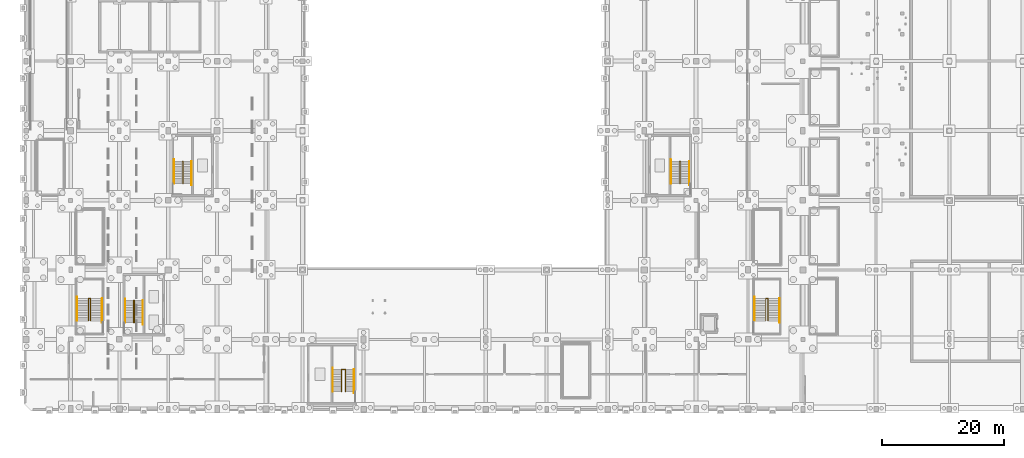
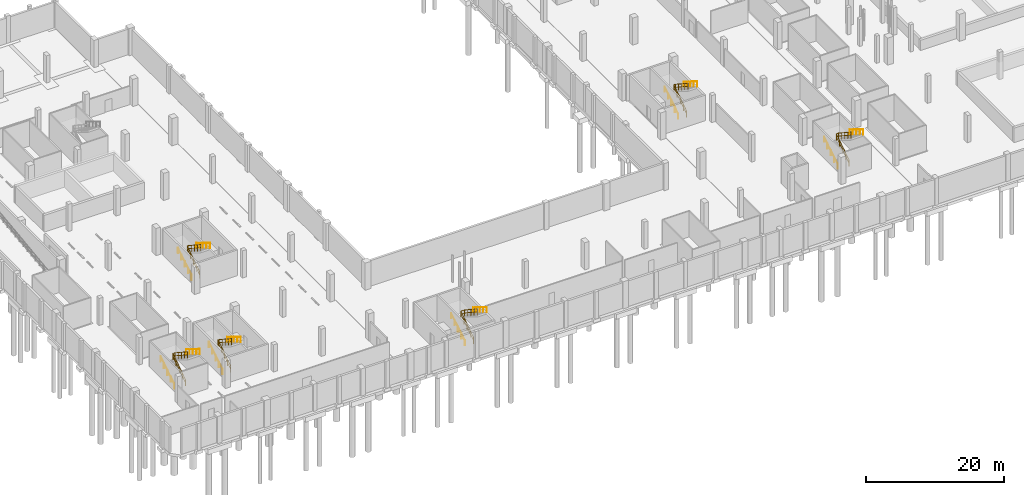
# One storey, part 32 of 34: 18 railings.
"""IFC4 building model written with IfcOpenShell, lengths in metres."""

from ifc_helpers import new_model, si_unit, direction, frame, origin, origin_2d, place, context, subcontext, project, spatial, circle, extrude, material, type_object, element, save


model = new_model("IFC4")

# Units and contexts
model_context = context("Model", 3, precision=1e-05, world=origin(), true_north=direction((0.0, 1.0)))
body_context = subcontext(model_context, "Body", "Model", "MODEL_VIEW")
ifc_project = project(units=[si_unit("LENGTHUNIT", "METRE"), si_unit("AREAUNIT", "SQUARE_METRE"), si_unit("VOLUMEUNIT", "CUBIC_METRE"), si_unit("PLANEANGLEUNIT", "RADIAN"), si_unit("MASSUNIT", "GRAM", prefix="KILO"), si_unit("POWERUNIT", "WATT"), si_unit("THERMODYNAMICTEMPERATUREUNIT", "KELVIN")], contexts=[model_context])

# Site, building, storey
site_placement = place(None, origin())
site = spatial("IfcSite", under=ifc_project, at=site_placement, CompositionType="ELEMENT")
building_placement = place(site_placement, origin())
building = spatial("IfcBuilding", under=site, at=building_placement, Name="Kelmbourne Parkland Aquatics Centre", CompositionType="ELEMENT")
storey_placement = place(building_placement, frame((0.0, 0.0, -4.800048828125)))
storey = spatial("IfcBuildingStorey", under=building, at=storey_placement, Name="B1", CompositionType="ELEMENT", Elevation=-4.800048828125)

# Railings
ifc_material = material(Name="Grade 316 marine stainless steel", Category="steel")
railing_type_1 = type_object("IfcRailingType", Name="RL-GD-112", PredefinedType="GUARDRAIL", material=ifc_material)
railing_1_placement = place(storey_placement, frame((18.307373046875, 14.949951171875, 0.0)))
element("IfcRailing", 1, at=railing_1_placement, inside=storey, type_object=railing_type_1, Name="West Wing South Fire-Fighting Core Stair ST01 well guardrail", PredefinedType="GUARDRAIL", context=body_context, shape_type="SweptSolid", body=[
    extrude(circle(Radius=0.02392578125, at=origin_2d()), frame((0.0, 0.0, 1.09619140625), z_axis=(0.0, 0.834856447115, 0.55046772177), x_axis=(-1.0, 0.0, 0.0)), (0.0, 0.0, 1.0), 4.360107421875),
    extrude(circle(Radius=0.02392578125, at=origin_2d()), frame((0.0, 0.0, 0.56005859375), z_axis=(0.0, 0.834856447115, 0.55046772177), x_axis=(-1.0, 0.0, 0.0)), (0.0, 0.0, 1.0), 4.360107421875),
    extrude(circle(Radius=0.02392578125, at=origin_2d()), frame((0.0, 3.64013671875, 3.49609375), z_axis=(1.0, 0.0, 0.0), x_axis=(0.0, 1.0, 0.0)), (0.0, 0.0, 1.0), 0.16015625),
    extrude(circle(Radius=0.02392578125, at=origin_2d()), frame((0.0, 3.64013671875, 2.960205078125), z_axis=(1.0, 0.0, 0.0), x_axis=(0.0, 1.0, 0.0)), (0.0, 0.0, 1.0), 0.16015625),
    extrude(circle(Radius=0.02392578125, at=origin_2d()), frame((0.16015625, 3.64013671875, 3.49609375), z_axis=(0.0, -0.83488217925, 0.55042869363), x_axis=(1.0, 0.0, 0.0)), (0.0, 0.0, 1.0), 4.360107421875),
    extrude(circle(Radius=0.02392578125, at=origin_2d()), frame((0.16015625, 3.64013671875, 2.960205078125), z_axis=(0.0, -0.83488217925, 0.55042869363), x_axis=(1.0, 0.0, 0.0)), (0.0, 0.0, 1.0), 4.360107421875),
    extrude(circle(Radius=0.02099609375, at=origin_2d()), origin(), (0.0, 0.0, 1.0), 1.072021484375),
    extrude(circle(Radius=0.02099609375, at=origin_2d()), frame((0.0, 0.91015625, 0.60009765625)), (0.0, 0.0, 1.0), 1.072021484375),
    extrude(circle(Radius=0.02099609375, at=origin_2d()), frame((0.0, 1.820068359375, 1.2001953125)), (0.0, 0.0, 1.0), 1.072021484375),
    extrude(circle(Radius=0.02099609375, at=origin_2d()), frame((0.0, 2.72998046875, 1.800048828125)), (0.0, 0.0, 1.0), 1.072021484375),
    extrude(circle(Radius=0.02099609375, at=origin_2d()), frame((0.0, 3.64013671875, 2.400146484375)), (0.0, 0.0, 1.0), 1.072021484375),
    extrude(circle(Radius=0.02099609375, at=origin_2d()), frame((0.16015625, 3.64013671875, 2.400146484375)), (0.0, 0.0, 1.0), 1.072021484375),
    extrude(circle(Radius=0.02099609375, at=origin_2d()), frame((0.16015625, 2.72998046875, 3.0)), (0.0, 0.0, 1.0), 1.072021484375),
    extrude(circle(Radius=0.02099609375, at=origin_2d()), frame((0.16015625, 1.820068359375, 3.60009765625)), (0.0, 0.0, 1.0), 1.072021484375),
    extrude(circle(Radius=0.02099609375, at=origin_2d()), frame((0.16015625, 0.91015625, 4.2001953125)), (0.0, 0.0, 1.0), 1.072021484375),
    extrude(circle(Radius=0.02099609375, at=origin_2d()), frame((0.16015625, 0.0, 4.800048828125)), (0.0, 0.0, 1.0), 1.072021484375),
])
railing_2_placement = place(storey_placement, frame((26.307373046875, 37.75, 0.0)))
element("IfcRailing", 2, at=railing_2_placement, inside=storey, type_object=railing_type_1, Name="West Wing North Passenger Core Stair ST02 well guardrail", PredefinedType="GUARDRAIL", context=body_context, shape_type="SweptSolid", body=[
    extrude(circle(Radius=0.02392578125, at=origin_2d()), frame((0.0, 0.0, 1.09619140625), z_axis=(0.0, 0.834839479206, 0.550493454965), x_axis=(-1.0, 0.0, 0.0)), (0.0, 0.0, 1.0), 4.360107421875),
    extrude(circle(Radius=0.02392578125, at=origin_2d()), frame((0.0, 0.0, 0.56005859375), z_axis=(0.0, 0.834839479206, 0.550493454965), x_axis=(-1.0, 0.0, 0.0)), (0.0, 0.0, 1.0), 4.360107421875),
    extrude(circle(Radius=0.02392578125, at=origin_2d()), frame((0.0, 3.639892578125, 3.49609375), z_axis=(1.0, 0.0, 0.0), x_axis=(0.0, 1.0, 0.0)), (0.0, 0.0, 1.0), 0.16015625),
    extrude(circle(Radius=0.02392578125, at=origin_2d()), frame((0.0, 3.639892578125, 2.960205078125), z_axis=(1.0, 0.0, 0.0), x_axis=(0.0, 1.0, 0.0)), (0.0, 0.0, 1.0), 0.16015625),
    extrude(circle(Radius=0.02392578125, at=origin_2d()), frame((0.16015625, 3.639892578125, 3.49609375), z_axis=(0.0, -0.834865213223, 0.550454426587), x_axis=(1.0, 0.0, 0.0)), (0.0, 0.0, 1.0), 4.35986328125),
    extrude(circle(Radius=0.02392578125, at=origin_2d()), frame((0.16015625, 3.639892578125, 2.960205078125), z_axis=(0.0, -0.834865213223, 0.550454426587), x_axis=(1.0, 0.0, 0.0)), (0.0, 0.0, 1.0), 4.35986328125),
    extrude(circle(Radius=0.02099609375, at=origin_2d()), origin(), (0.0, 0.0, 1.0), 1.072021484375),
    extrude(circle(Radius=0.02099609375, at=origin_2d()), frame((0.0, 0.909912109375, 0.60009765625)), (0.0, 0.0, 1.0), 1.072021484375),
    extrude(circle(Radius=0.02099609375, at=origin_2d()), frame((0.0, 1.81982421875, 1.2001953125)), (0.0, 0.0, 1.0), 1.072021484375),
    extrude(circle(Radius=0.02099609375, at=origin_2d()), frame((0.0, 2.72998046875, 1.800048828125)), (0.0, 0.0, 1.0), 1.072021484375),
    extrude(circle(Radius=0.02099609375, at=origin_2d()), frame((0.0, 3.639892578125, 2.400146484375)), (0.0, 0.0, 1.0), 1.072021484375),
    extrude(circle(Radius=0.02099609375, at=origin_2d()), frame((0.16015625, 3.639892578125, 2.400146484375)), (0.0, 0.0, 1.0), 1.072021484375),
    extrude(circle(Radius=0.02099609375, at=origin_2d()), frame((0.16015625, 2.72998046875, 3.0)), (0.0, 0.0, 1.0), 1.072021484375),
    extrude(circle(Radius=0.02099609375, at=origin_2d()), frame((0.16015625, 1.81982421875, 3.60009765625)), (0.0, 0.0, 1.0), 1.072021484375),
    extrude(circle(Radius=0.02099609375, at=origin_2d()), frame((0.16015625, 0.909912109375, 4.2001953125)), (0.0, 0.0, 1.0), 1.072021484375),
    extrude(circle(Radius=0.02099609375, at=origin_2d()), frame((0.16015625, 0.0, 4.800048828125)), (0.0, 0.0, 1.0), 1.072021484375),
])
railing_3_placement = place(storey_placement, frame((52.39501953125, 3.64990234375, 0.0)))
element("IfcRailing", 3, at=railing_3_placement, inside=storey, type_object=railing_type_1, Name="South Entrance Foyer Gallery Core Stair ST03 well guardrail", PredefinedType="GUARDRAIL", context=body_context, shape_type="SweptSolid", body=[
    extrude(circle(Radius=0.02392578125, at=origin_2d()), frame((0.0, 0.0, 1.09619140625), z_axis=(0.0, 0.834856447115, 0.55046772177), x_axis=(-1.0, 0.0, 0.0)), (0.0, 0.0, 1.0), 4.360107421875),
    extrude(circle(Radius=0.02392578125, at=origin_2d()), frame((0.0, 0.0, 0.56005859375), z_axis=(0.0, 0.834856447115, 0.55046772177), x_axis=(-1.0, 0.0, 0.0)), (0.0, 0.0, 1.0), 4.360107421875),
    extrude(circle(Radius=0.02392578125, at=origin_2d()), frame((0.0, 3.64013671875, 3.49609375), z_axis=(1.0, 0.0, 0.0), x_axis=(0.0, 1.0, 0.0)), (0.0, 0.0, 1.0), 0.635009765625),
    extrude(circle(Radius=0.02392578125, at=origin_2d()), frame((0.0, 3.64013671875, 2.960205078125), z_axis=(1.0, 0.0, 0.0), x_axis=(0.0, 1.0, 0.0)), (0.0, 0.0, 1.0), 0.635009765625),
    extrude(circle(Radius=0.02392578125, at=origin_2d()), frame((0.635009765625, 3.64013671875, 3.49609375), z_axis=(0.0, -0.83488217925, 0.55042869363), x_axis=(1.0, 0.0, 0.0)), (0.0, 0.0, 1.0), 4.360107421875),
    extrude(circle(Radius=0.02392578125, at=origin_2d()), frame((0.635009765625, 3.64013671875, 2.960205078125), z_axis=(0.0, -0.83488217925, 0.55042869363), x_axis=(1.0, 0.0, 0.0)), (0.0, 0.0, 1.0), 4.360107421875),
    extrude(circle(Radius=0.02099609375, at=origin_2d()), origin(), (0.0, 0.0, 1.0), 1.072021484375),
    extrude(circle(Radius=0.02099609375, at=origin_2d()), frame((0.0, 0.91015625, 0.60009765625)), (0.0, 0.0, 1.0), 1.072021484375),
    extrude(circle(Radius=0.02099609375, at=origin_2d()), frame((0.0, 1.820068359375, 1.2001953125)), (0.0, 0.0, 1.0), 1.072021484375),
    extrude(circle(Radius=0.02099609375, at=origin_2d()), frame((0.0, 2.72998046875, 1.800048828125)), (0.0, 0.0, 1.0), 1.072021484375),
    extrude(circle(Radius=0.02099609375, at=origin_2d()), frame((0.0, 3.64013671875, 2.400146484375)), (0.0, 0.0, 1.0), 1.072021484375),
    extrude(circle(Radius=0.02099609375, at=origin_2d()), frame((0.635009765625, 3.64013671875, 2.400146484375)), (0.0, 0.0, 1.0), 1.072021484375),
    extrude(circle(Radius=0.02099609375, at=origin_2d()), frame((0.635009765625, 2.72998046875, 3.0)), (0.0, 0.0, 1.0), 1.072021484375),
    extrude(circle(Radius=0.02099609375, at=origin_2d()), frame((0.635009765625, 1.820068359375, 3.60009765625)), (0.0, 0.0, 1.0), 1.072021484375),
    extrude(circle(Radius=0.02099609375, at=origin_2d()), frame((0.635009765625, 0.91015625, 4.2001953125)), (0.0, 0.0, 1.0), 1.072021484375),
    extrude(circle(Radius=0.02099609375, at=origin_2d()), frame((0.635009765625, 0.0, 4.800048828125)), (0.0, 0.0, 1.0), 1.072021484375),
])
railing_4_placement = place(storey_placement, frame((107.7451171875, 37.75, 0.0)))
element("IfcRailing", 4, at=railing_4_placement, inside=storey, type_object=railing_type_1, Name="East Spine Club and Village Core Stair ST04 well guardrail", PredefinedType="GUARDRAIL", context=body_context, shape_type="SweptSolid", body=[
    extrude(circle(Radius=0.02392578125, at=origin_2d()), frame((0.0, 0.0, 1.09619140625), z_axis=(0.0, 0.834839479206, 0.550493454965), x_axis=(-1.0, 0.0, 0.0)), (0.0, 0.0, 1.0), 4.360107421875),
    extrude(circle(Radius=0.02392578125, at=origin_2d()), frame((0.0, 0.0, 0.56005859375), z_axis=(0.0, 0.834839479206, 0.550493454965), x_axis=(-1.0, 0.0, 0.0)), (0.0, 0.0, 1.0), 4.360107421875),
    extrude(circle(Radius=0.02392578125, at=origin_2d()), frame((0.0, 3.639892578125, 3.49609375), z_axis=(1.0, 0.0, 0.0), x_axis=(0.0, 1.0, 0.0)), (0.0, 0.0, 1.0), 0.23486328125),
    extrude(circle(Radius=0.02392578125, at=origin_2d()), frame((0.0, 3.639892578125, 2.960205078125), z_axis=(1.0, 0.0, 0.0), x_axis=(0.0, 1.0, 0.0)), (0.0, 0.0, 1.0), 0.23486328125),
    extrude(circle(Radius=0.02392578125, at=origin_2d()), frame((0.23486328125, 3.639892578125, 3.49609375), z_axis=(0.0, -0.834865213223, 0.550454426587), x_axis=(1.0, 0.0, 0.0)), (0.0, 0.0, 1.0), 4.35986328125),
    extrude(circle(Radius=0.02392578125, at=origin_2d()), frame((0.23486328125, 3.639892578125, 2.960205078125), z_axis=(0.0, -0.834865213223, 0.550454426587), x_axis=(1.0, 0.0, 0.0)), (0.0, 0.0, 1.0), 4.35986328125),
    extrude(circle(Radius=0.02099609375, at=origin_2d()), origin(), (0.0, 0.0, 1.0), 1.072021484375),
    extrude(circle(Radius=0.02099609375, at=origin_2d()), frame((0.0, 0.909912109375, 0.60009765625)), (0.0, 0.0, 1.0), 1.072021484375),
    extrude(circle(Radius=0.02099609375, at=origin_2d()), frame((0.0, 1.81982421875, 1.2001953125)), (0.0, 0.0, 1.0), 1.072021484375),
    extrude(circle(Radius=0.02099609375, at=origin_2d()), frame((0.0, 2.72998046875, 1.800048828125)), (0.0, 0.0, 1.0), 1.072021484375),
    extrude(circle(Radius=0.02099609375, at=origin_2d()), frame((0.0, 3.639892578125, 2.400146484375)), (0.0, 0.0, 1.0), 1.072021484375),
    extrude(circle(Radius=0.02099609375, at=origin_2d()), frame((0.23486328125, 3.639892578125, 2.400146484375)), (0.0, 0.0, 1.0), 1.072021484375),
    extrude(circle(Radius=0.02099609375, at=origin_2d()), frame((0.23486328125, 2.72998046875, 3.0)), (0.0, 0.0, 1.0), 1.072021484375),
    extrude(circle(Radius=0.02099609375, at=origin_2d()), frame((0.23486328125, 1.81982421875, 3.60009765625)), (0.0, 0.0, 1.0), 1.072021484375),
    extrude(circle(Radius=0.02099609375, at=origin_2d()), frame((0.23486328125, 0.909912109375, 4.2001953125)), (0.0, 0.0, 1.0), 1.072021484375),
    extrude(circle(Radius=0.02099609375, at=origin_2d()), frame((0.23486328125, 0.0, 4.800048828125)), (0.0, 0.0, 1.0), 1.072021484375),
])
railing_5_placement = place(storey_placement, frame((10.919921875, 15.25, 0.0)))
element("IfcRailing", 5, at=railing_5_placement, inside=storey, type_object=railing_type_1, Name="West South Perimeter Exit Stair well guardrail", PredefinedType="GUARDRAIL", context=body_context, shape_type="SweptSolid", body=[
    extrude(circle(Radius=0.02392578125, at=origin_2d()), frame((0.0, 0.0, 1.09619140625), z_axis=(0.0, 0.834839479206, 0.550493454965), x_axis=(-1.0, 0.0, 0.0)), (0.0, 0.0, 1.0), 4.360107421875),
    extrude(circle(Radius=0.02392578125, at=origin_2d()), frame((0.0, 0.0, 0.56005859375), z_axis=(0.0, 0.834839479206, 0.550493454965), x_axis=(-1.0, 0.0, 0.0)), (0.0, 0.0, 1.0), 4.360107421875),
    extrude(circle(Radius=0.02392578125, at=origin_2d()), frame((0.0, 3.639892578125, 3.49609375), z_axis=(1.0, 0.0, 0.0), x_axis=(0.0, 1.0, 0.0)), (0.0, 0.0, 1.0), 0.360107421875),
    extrude(circle(Radius=0.02392578125, at=origin_2d()), frame((0.0, 3.639892578125, 2.960205078125), z_axis=(1.0, 0.0, 0.0), x_axis=(0.0, 1.0, 0.0)), (0.0, 0.0, 1.0), 0.360107421875),
    extrude(circle(Radius=0.02392578125, at=origin_2d()), frame((0.360107421875, 3.639892578125, 3.49609375), z_axis=(0.0, -0.834865213223, 0.550454426587), x_axis=(1.0, 0.0, 0.0)), (0.0, 0.0, 1.0), 4.35986328125),
    extrude(circle(Radius=0.02392578125, at=origin_2d()), frame((0.360107421875, 3.639892578125, 2.960205078125), z_axis=(0.0, -0.834865213223, 0.550454426587), x_axis=(1.0, 0.0, 0.0)), (0.0, 0.0, 1.0), 4.35986328125),
    extrude(circle(Radius=0.02099609375, at=origin_2d()), origin(), (0.0, 0.0, 1.0), 1.072021484375),
    extrude(circle(Radius=0.02099609375, at=origin_2d()), frame((0.0, 0.909912109375, 0.60009765625)), (0.0, 0.0, 1.0), 1.072021484375),
    extrude(circle(Radius=0.02099609375, at=origin_2d()), frame((0.0, 1.81982421875, 1.2001953125)), (0.0, 0.0, 1.0), 1.072021484375),
    extrude(circle(Radius=0.02099609375, at=origin_2d()), frame((0.0, 2.72998046875, 1.800048828125)), (0.0, 0.0, 1.0), 1.072021484375),
    extrude(circle(Radius=0.02099609375, at=origin_2d()), frame((0.0, 3.639892578125, 2.400146484375)), (0.0, 0.0, 1.0), 1.072021484375),
    extrude(circle(Radius=0.02099609375, at=origin_2d()), frame((0.360107421875, 3.639892578125, 2.400146484375)), (0.0, 0.0, 1.0), 1.072021484375),
    extrude(circle(Radius=0.02099609375, at=origin_2d()), frame((0.360107421875, 2.72998046875, 3.0)), (0.0, 0.0, 1.0), 1.072021484375),
    extrude(circle(Radius=0.02099609375, at=origin_2d()), frame((0.360107421875, 1.81982421875, 3.60009765625)), (0.0, 0.0, 1.0), 1.072021484375),
    extrude(circle(Radius=0.02099609375, at=origin_2d()), frame((0.360107421875, 0.909912109375, 4.2001953125)), (0.0, 0.0, 1.0), 1.072021484375),
    extrude(circle(Radius=0.02099609375, at=origin_2d()), frame((0.360107421875, 0.0, 4.800048828125)), (0.0, 0.0, 1.0), 1.072021484375),
])
railing_6_placement = place(storey_placement, frame((121.919921875, 15.25, 0.0)))
element("IfcRailing", 6, at=railing_6_placement, inside=storey, type_object=railing_type_1, Name="South East Concourse Exit Stair well guardrail", PredefinedType="GUARDRAIL", context=body_context, shape_type="SweptSolid", body=[
    extrude(circle(Radius=0.02392578125, at=origin_2d()), frame((0.0, 0.0, 1.09619140625), z_axis=(0.0, 0.834839479206, 0.550493454965), x_axis=(-1.0, 0.0, 0.0)), (0.0, 0.0, 1.0), 4.360107421875),
    extrude(circle(Radius=0.02392578125, at=origin_2d()), frame((0.0, 0.0, 0.56005859375), z_axis=(0.0, 0.834839479206, 0.550493454965), x_axis=(-1.0, 0.0, 0.0)), (0.0, 0.0, 1.0), 4.360107421875),
    extrude(circle(Radius=0.02392578125, at=origin_2d()), frame((0.0, 3.639892578125, 3.49609375), z_axis=(1.0, 0.0, 0.0), x_axis=(0.0, 1.0, 0.0)), (0.0, 0.0, 1.0), 0.360107421875),
    extrude(circle(Radius=0.02392578125, at=origin_2d()), frame((0.0, 3.639892578125, 2.960205078125), z_axis=(1.0, 0.0, 0.0), x_axis=(0.0, 1.0, 0.0)), (0.0, 0.0, 1.0), 0.360107421875),
    extrude(circle(Radius=0.02392578125, at=origin_2d()), frame((0.360107421875, 3.639892578125, 3.49609375), z_axis=(0.0, -0.834865213223, 0.550454426587), x_axis=(1.0, 0.0, 0.0)), (0.0, 0.0, 1.0), 4.35986328125),
    extrude(circle(Radius=0.02392578125, at=origin_2d()), frame((0.360107421875, 3.639892578125, 2.960205078125), z_axis=(0.0, -0.834865213223, 0.550454426587), x_axis=(1.0, 0.0, 0.0)), (0.0, 0.0, 1.0), 4.35986328125),
    extrude(circle(Radius=0.02099609375, at=origin_2d()), origin(), (0.0, 0.0, 1.0), 1.072021484375),
    extrude(circle(Radius=0.02099609375, at=origin_2d()), frame((0.0, 0.909912109375, 0.60009765625)), (0.0, 0.0, 1.0), 1.072021484375),
    extrude(circle(Radius=0.02099609375, at=origin_2d()), frame((0.0, 1.81982421875, 1.2001953125)), (0.0, 0.0, 1.0), 1.072021484375),
    extrude(circle(Radius=0.02099609375, at=origin_2d()), frame((0.0, 2.72998046875, 1.800048828125)), (0.0, 0.0, 1.0), 1.072021484375),
    extrude(circle(Radius=0.02099609375, at=origin_2d()), frame((0.0, 3.639892578125, 2.400146484375)), (0.0, 0.0, 1.0), 1.072021484375),
    extrude(circle(Radius=0.02099609375, at=origin_2d()), frame((0.360107421875, 3.639892578125, 2.400146484375)), (0.0, 0.0, 1.0), 1.072021484375),
    extrude(circle(Radius=0.02099609375, at=origin_2d()), frame((0.360107421875, 2.72998046875, 3.0)), (0.0, 0.0, 1.0), 1.072021484375),
    extrude(circle(Radius=0.02099609375, at=origin_2d()), frame((0.360107421875, 1.81982421875, 3.60009765625)), (0.0, 0.0, 1.0), 1.072021484375),
    extrude(circle(Radius=0.02099609375, at=origin_2d()), frame((0.360107421875, 0.909912109375, 4.2001953125)), (0.0, 0.0, 1.0), 1.072021484375),
    extrude(circle(Radius=0.02099609375, at=origin_2d()), frame((0.360107421875, 0.0, 4.800048828125)), (0.0, 0.0, 1.0), 1.072021484375),
])
railing_type_2 = type_object("IfcRailingType", Name="RL-HR-92", PredefinedType="HANDRAIL", material=ifc_material)
railing_7_placement = place(storey_placement, frame((16.93994140625, 14.949951171875, 0.17138671875)))
element("IfcRailing", 7, at=railing_7_placement, inside=storey, type_object=railing_type_2, Name="West Wing South Fire-Fighting Core Stair ST01 F1 handrail", PredefinedType="HANDRAIL", context=body_context, shape_type="SweptSolid", body=[
    extrude(circle(Radius=0.02392578125, at=origin_2d()), frame((0.0, 0.0, 0.89599609375), z_axis=(0.0, 0.852846959695, 0.522160955394), x_axis=(-1.0, 0.0, 0.0)), (0.0, 0.0, 1.0), 4.5966796875),
    extrude(circle(Radius=0.02099609375, at=origin_2d()), origin(), (0.0, 0.0, 1.0), 0.871826171875),
    extrude(circle(Radius=0.02099609375, at=origin_2d()), frame((0.0, 0.97998046875, 0.60009765625)), (0.0, 0.0, 1.0), 0.871826171875),
    extrude(circle(Radius=0.02099609375, at=origin_2d()), frame((0.0, 1.9599609375, 1.2001953125)), (0.0, 0.0, 1.0), 0.871826171875),
    extrude(circle(Radius=0.02099609375, at=origin_2d()), frame((0.0, 2.940185546875, 1.800048828125)), (0.0, 0.0, 1.0), 0.871826171875),
    extrude(circle(Radius=0.02099609375, at=origin_2d()), frame((0.0, 3.920166015625, 2.400146484375)), (0.0, 0.0, 1.0), 0.871826171875),
])
railing_8_placement = place(storey_placement, frame((19.8349609375, 18.590087890625, 2.571533203125)))
element("IfcRailing", 8, at=railing_8_placement, inside=storey, type_object=railing_type_2, Name="West Wing South Fire-Fighting Core Stair ST01 F2 handrail", PredefinedType="HANDRAIL", context=body_context, shape_type="SweptSolid", body=[
    extrude(circle(Radius=0.02392578125, at=origin_2d()), frame((0.0, 0.0, 0.89599609375), z_axis=(0.0, -0.852870612257, 0.522122321634), x_axis=(1.0, 0.0, 0.0)), (0.0, 0.0, 1.0), 4.596435546875),
    extrude(circle(Radius=0.02099609375, at=origin_2d()), origin(), (0.0, 0.0, 1.0), 0.871826171875),
    extrude(circle(Radius=0.02099609375, at=origin_2d()), frame((0.0, -0.97998046875, 0.60009765625)), (0.0, 0.0, 1.0), 0.871826171875),
    extrude(circle(Radius=0.02099609375, at=origin_2d()), frame((0.0, -1.9599609375, 1.199951171875)), (0.0, 0.0, 1.0), 0.871826171875),
    extrude(circle(Radius=0.02099609375, at=origin_2d()), frame((0.0, -2.940185546875, 1.7998046875)), (0.0, 0.0, 1.0), 0.871826171875),
    extrude(circle(Radius=0.02099609375, at=origin_2d()), frame((0.0, -3.920166015625, 2.39990234375)), (0.0, 0.0, 1.0), 0.871826171875),
])
railing_9_placement = place(storey_placement, frame((24.93994140625, 37.75, 0.17138671875)))
element("IfcRailing", 9, at=railing_9_placement, inside=storey, type_object=railing_type_2, Name="West Wing North Passenger Core Stair ST02 F1 handrail", PredefinedType="HANDRAIL", context=body_context, shape_type="SweptSolid", body=[
    extrude(circle(Radius=0.02392578125, at=origin_2d()), frame((0.0, 0.0, 0.89599609375), z_axis=(0.0, 0.852832477147, 0.522184609045), x_axis=(-1.0, 0.0, 0.0)), (0.0, 0.0, 1.0), 4.596435546875),
    extrude(circle(Radius=0.02099609375, at=origin_2d()), origin(), (0.0, 0.0, 1.0), 0.871826171875),
    extrude(circle(Radius=0.02099609375, at=origin_2d()), frame((0.0, 0.97998046875, 0.60009765625)), (0.0, 0.0, 1.0), 0.871826171875),
    extrude(circle(Radius=0.02099609375, at=origin_2d()), frame((0.0, 1.9599609375, 1.2001953125)), (0.0, 0.0, 1.0), 0.871826171875),
    extrude(circle(Radius=0.02099609375, at=origin_2d()), frame((0.0, 2.93994140625, 1.800048828125)), (0.0, 0.0, 1.0), 0.871826171875),
    extrude(circle(Radius=0.02099609375, at=origin_2d()), frame((0.0, 3.919921875, 2.400146484375)), (0.0, 0.0, 1.0), 0.871826171875),
])
railing_10_placement = place(storey_placement, frame((27.8349609375, 41.389892578125, 2.571533203125)))
element("IfcRailing", 10, at=railing_10_placement, inside=storey, type_object=railing_type_2, Name="West Wing North Passenger Core Stair ST02 F2 handrail", PredefinedType="HANDRAIL", context=body_context, shape_type="SweptSolid", body=[
    extrude(circle(Radius=0.02392578125, at=origin_2d()), frame((0.0, 0.0, 0.89599609375), z_axis=(0.0, -0.852856131449, 0.522145974847), x_axis=(1.0, 0.0, 0.0)), (0.0, 0.0, 1.0), 4.59619140625),
    extrude(circle(Radius=0.02099609375, at=origin_2d()), origin(), (0.0, 0.0, 1.0), 0.871826171875),
    extrude(circle(Radius=0.02099609375, at=origin_2d()), frame((0.0, -0.97998046875, 0.60009765625)), (0.0, 0.0, 1.0), 0.871826171875),
    extrude(circle(Radius=0.02099609375, at=origin_2d()), frame((0.0, -1.9599609375, 1.199951171875)), (0.0, 0.0, 1.0), 0.871826171875),
    extrude(circle(Radius=0.02099609375, at=origin_2d()), frame((0.0, -2.93994140625, 1.7998046875)), (0.0, 0.0, 1.0), 0.871826171875),
    extrude(circle(Radius=0.02099609375, at=origin_2d()), frame((0.0, -3.919921875, 2.39990234375)), (0.0, 0.0, 1.0), 0.871826171875),
])
railing_11_placement = place(storey_placement, frame((50.965087890625, 3.64990234375, 0.17138671875)))
element("IfcRailing", 11, at=railing_11_placement, inside=storey, type_object=railing_type_2, Name="South Entrance Foyer Gallery Core Stair ST03 F1 handrail", PredefinedType="HANDRAIL", context=body_context, shape_type="SweptSolid", body=[
    extrude(circle(Radius=0.02392578125, at=origin_2d()), frame((0.0, 0.0, 0.89599609375), z_axis=(0.0, 0.852846959695, 0.522160955394), x_axis=(-1.0, 0.0, 0.0)), (0.0, 0.0, 1.0), 4.5966796875),
    extrude(circle(Radius=0.02099609375, at=origin_2d()), origin(), (0.0, 0.0, 1.0), 0.871826171875),
    extrude(circle(Radius=0.02099609375, at=origin_2d()), frame((0.0, 0.97998046875, 0.60009765625)), (0.0, 0.0, 1.0), 0.871826171875),
    extrude(circle(Radius=0.02099609375, at=origin_2d()), frame((0.0, 1.9599609375, 1.2001953125)), (0.0, 0.0, 1.0), 0.871826171875),
    extrude(circle(Radius=0.02099609375, at=origin_2d()), frame((0.0, 2.940185546875, 1.800048828125)), (0.0, 0.0, 1.0), 0.871826171875),
    extrude(circle(Radius=0.02099609375, at=origin_2d()), frame((0.0, 3.920166015625, 2.400146484375)), (0.0, 0.0, 1.0), 0.871826171875),
])
railing_12_placement = place(storey_placement, frame((54.4599609375, 7.2900390625, 2.571533203125)))
element("IfcRailing", 12, at=railing_12_placement, inside=storey, type_object=railing_type_2, Name="South Entrance Foyer Gallery Core Stair ST03 F2 handrail", PredefinedType="HANDRAIL", context=body_context, shape_type="SweptSolid", body=[
    extrude(circle(Radius=0.02392578125, at=origin_2d()), frame((0.0, 0.0, 0.89599609375), z_axis=(0.0, -0.852856131449, 0.522145974847), x_axis=(1.0, 0.0, 0.0)), (0.0, 0.0, 1.0), 4.59619140625),
    extrude(circle(Radius=0.02099609375, at=origin_2d()), origin(), (0.0, 0.0, 1.0), 0.871826171875),
    extrude(circle(Radius=0.02099609375, at=origin_2d()), frame((0.0, -0.97998046875, 0.60009765625)), (0.0, 0.0, 1.0), 0.871826171875),
    extrude(circle(Radius=0.02099609375, at=origin_2d()), frame((0.0, -1.9599609375, 1.199951171875)), (0.0, 0.0, 1.0), 0.871826171875),
    extrude(circle(Radius=0.02099609375, at=origin_2d()), frame((0.0, -2.93994140625, 1.7998046875)), (0.0, 0.0, 1.0), 0.871826171875),
    extrude(circle(Radius=0.02099609375, at=origin_2d()), frame((0.0, -3.919921875, 2.39990234375)), (0.0, 0.0, 1.0), 0.871826171875),
])
railing_13_placement = place(storey_placement, frame((106.364990234375, 37.75, 0.17138671875)))
element("IfcRailing", 13, at=railing_13_placement, inside=storey, type_object=railing_type_2, Name="East Spine Club and Village Core Stair ST04 F1 handrail", PredefinedType="HANDRAIL", context=body_context, shape_type="SweptSolid", body=[
    extrude(circle(Radius=0.02392578125, at=origin_2d()), frame((0.0, 0.0, 0.89599609375), z_axis=(0.0, 0.852832477147, 0.522184609045), x_axis=(-1.0, 0.0, 0.0)), (0.0, 0.0, 1.0), 4.596435546875),
    extrude(circle(Radius=0.02099609375, at=origin_2d()), origin(), (0.0, 0.0, 1.0), 0.871826171875),
    extrude(circle(Radius=0.02099609375, at=origin_2d()), frame((0.0, 0.97998046875, 0.60009765625)), (0.0, 0.0, 1.0), 0.871826171875),
    extrude(circle(Radius=0.02099609375, at=origin_2d()), frame((0.0, 1.9599609375, 1.2001953125)), (0.0, 0.0, 1.0), 0.871826171875),
    extrude(circle(Radius=0.02099609375, at=origin_2d()), frame((0.0, 2.93994140625, 1.800048828125)), (0.0, 0.0, 1.0), 0.871826171875),
    extrude(circle(Radius=0.02099609375, at=origin_2d()), frame((0.0, 3.919921875, 2.400146484375)), (0.0, 0.0, 1.0), 0.871826171875),
])
railing_14_placement = place(storey_placement, frame((109.360107421875, 41.389892578125, 2.571533203125)))
element("IfcRailing", 14, at=railing_14_placement, inside=storey, type_object=railing_type_2, Name="East Spine Club and Village Core Stair ST04 F2 handrail", PredefinedType="HANDRAIL", context=body_context, shape_type="SweptSolid", body=[
    extrude(circle(Radius=0.02392578125, at=origin_2d()), frame((0.0, 0.0, 0.89599609375), z_axis=(0.0, -0.852856131449, 0.522145974847), x_axis=(1.0, 0.0, 0.0)), (0.0, 0.0, 1.0), 4.59619140625),
    extrude(circle(Radius=0.02099609375, at=origin_2d()), origin(), (0.0, 0.0, 1.0), 0.871826171875),
    extrude(circle(Radius=0.02099609375, at=origin_2d()), frame((0.0, -0.97998046875, 0.60009765625)), (0.0, 0.0, 1.0), 0.871826171875),
    extrude(circle(Radius=0.02099609375, at=origin_2d()), frame((0.0, -1.9599609375, 1.199951171875)), (0.0, 0.0, 1.0), 0.871826171875),
    extrude(circle(Radius=0.02099609375, at=origin_2d()), frame((0.0, -2.93994140625, 1.7998046875)), (0.0, 0.0, 1.0), 0.871826171875),
    extrude(circle(Radius=0.02099609375, at=origin_2d()), frame((0.0, -3.919921875, 2.39990234375)), (0.0, 0.0, 1.0), 0.871826171875),
])
railing_15_placement = place(storey_placement, frame((9.0400390625, 15.25, 0.17138671875)))
element("IfcRailing", 15, at=railing_15_placement, inside=storey, type_object=railing_type_2, Name="West South Perimeter Exit Stair F1 handrail", PredefinedType="HANDRAIL", context=body_context, shape_type="SweptSolid", body=[
    extrude(circle(Radius=0.02392578125, at=origin_2d()), frame((0.0, 0.0, 0.89599609375), z_axis=(0.0, 0.852832477147, 0.522184609045), x_axis=(-1.0, 0.0, 0.0)), (0.0, 0.0, 1.0), 4.596435546875),
    extrude(circle(Radius=0.02099609375, at=origin_2d()), origin(), (0.0, 0.0, 1.0), 0.871826171875),
    extrude(circle(Radius=0.02099609375, at=origin_2d()), frame((0.0, 0.97998046875, 0.60009765625)), (0.0, 0.0, 1.0), 0.871826171875),
    extrude(circle(Radius=0.02099609375, at=origin_2d()), frame((0.0, 1.9599609375, 1.2001953125)), (0.0, 0.0, 1.0), 0.871826171875),
    extrude(circle(Radius=0.02099609375, at=origin_2d()), frame((0.0, 2.93994140625, 1.800048828125)), (0.0, 0.0, 1.0), 0.871826171875),
    extrude(circle(Radius=0.02099609375, at=origin_2d()), frame((0.0, 3.919921875, 2.400146484375)), (0.0, 0.0, 1.0), 0.871826171875),
])
railing_16_placement = place(storey_placement, frame((13.159912109375, 18.889892578125, 2.571533203125)))
element("IfcRailing", 16, at=railing_16_placement, inside=storey, type_object=railing_type_2, Name="West South Perimeter Exit Stair F2 handrail", PredefinedType="HANDRAIL", context=body_context, shape_type="SweptSolid", body=[
    extrude(circle(Radius=0.02392578125, at=origin_2d()), frame((0.0, 0.0, 0.89599609375), z_axis=(0.0, -0.852856131449, 0.522145974847), x_axis=(1.0, 0.0, 0.0)), (0.0, 0.0, 1.0), 4.59619140625),
    extrude(circle(Radius=0.02099609375, at=origin_2d()), origin(), (0.0, 0.0, 1.0), 0.871826171875),
    extrude(circle(Radius=0.02099609375, at=origin_2d()), frame((0.0, -0.97998046875, 0.60009765625)), (0.0, 0.0, 1.0), 0.871826171875),
    extrude(circle(Radius=0.02099609375, at=origin_2d()), frame((0.0, -1.9599609375, 1.199951171875)), (0.0, 0.0, 1.0), 0.871826171875),
    extrude(circle(Radius=0.02099609375, at=origin_2d()), frame((0.0, -2.93994140625, 1.7998046875)), (0.0, 0.0, 1.0), 0.871826171875),
    extrude(circle(Radius=0.02099609375, at=origin_2d()), frame((0.0, -3.919921875, 2.39990234375)), (0.0, 0.0, 1.0), 0.871826171875),
])
railing_17_placement = place(storey_placement, frame((120.0400390625, 15.25, 0.17138671875)))
element("IfcRailing", 17, at=railing_17_placement, inside=storey, type_object=railing_type_2, Name="South East Concourse Exit Stair F1 handrail", PredefinedType="HANDRAIL", context=body_context, shape_type="SweptSolid", body=[
    extrude(circle(Radius=0.02392578125, at=origin_2d()), frame((0.0, 0.0, 0.89599609375), z_axis=(0.0, 0.852832477147, 0.522184609045), x_axis=(-1.0, 0.0, 0.0)), (0.0, 0.0, 1.0), 4.596435546875),
    extrude(circle(Radius=0.02099609375, at=origin_2d()), origin(), (0.0, 0.0, 1.0), 0.871826171875),
    extrude(circle(Radius=0.02099609375, at=origin_2d()), frame((0.0, 0.97998046875, 0.60009765625)), (0.0, 0.0, 1.0), 0.871826171875),
    extrude(circle(Radius=0.02099609375, at=origin_2d()), frame((0.0, 1.9599609375, 1.2001953125)), (0.0, 0.0, 1.0), 0.871826171875),
    extrude(circle(Radius=0.02099609375, at=origin_2d()), frame((0.0, 2.93994140625, 1.800048828125)), (0.0, 0.0, 1.0), 0.871826171875),
    extrude(circle(Radius=0.02099609375, at=origin_2d()), frame((0.0, 3.919921875, 2.400146484375)), (0.0, 0.0, 1.0), 0.871826171875),
])
railing_18_placement = place(storey_placement, frame((124.159912109375, 18.889892578125, 2.571533203125)))
element("IfcRailing", 18, at=railing_18_placement, inside=storey, type_object=railing_type_2, Name="South East Concourse Exit Stair F2 handrail", PredefinedType="HANDRAIL", context=body_context, shape_type="SweptSolid", body=[
    extrude(circle(Radius=0.02392578125, at=origin_2d()), frame((0.0, 0.0, 0.89599609375), z_axis=(0.0, -0.852856131449, 0.522145974847), x_axis=(1.0, 0.0, 0.0)), (0.0, 0.0, 1.0), 4.59619140625),
    extrude(circle(Radius=0.02099609375, at=origin_2d()), origin(), (0.0, 0.0, 1.0), 0.871826171875),
    extrude(circle(Radius=0.02099609375, at=origin_2d()), frame((0.0, -0.97998046875, 0.60009765625)), (0.0, 0.0, 1.0), 0.871826171875),
    extrude(circle(Radius=0.02099609375, at=origin_2d()), frame((0.0, -1.9599609375, 1.199951171875)), (0.0, 0.0, 1.0), 0.871826171875),
    extrude(circle(Radius=0.02099609375, at=origin_2d()), frame((0.0, -2.93994140625, 1.7998046875)), (0.0, 0.0, 1.0), 0.871826171875),
    extrude(circle(Radius=0.02099609375, at=origin_2d()), frame((0.0, -3.919921875, 2.39990234375)), (0.0, 0.0, 1.0), 0.871826171875),
])

save(model, "model.ifc")
